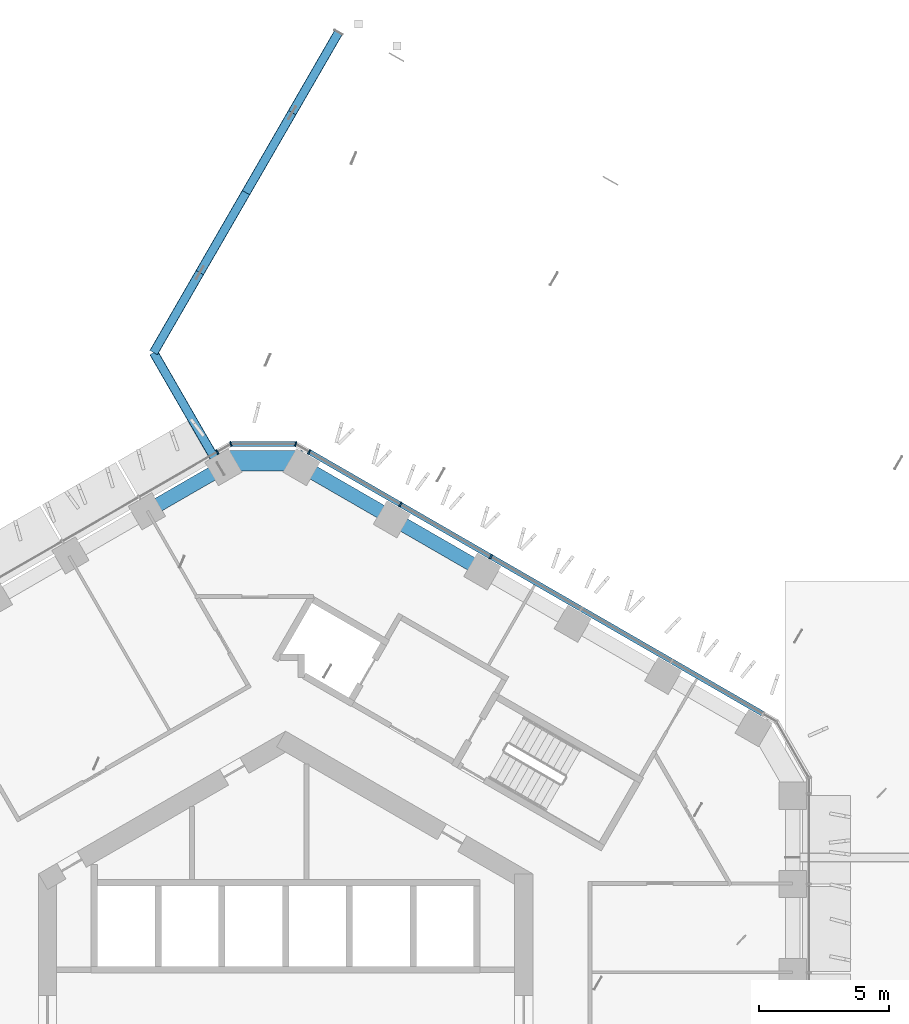
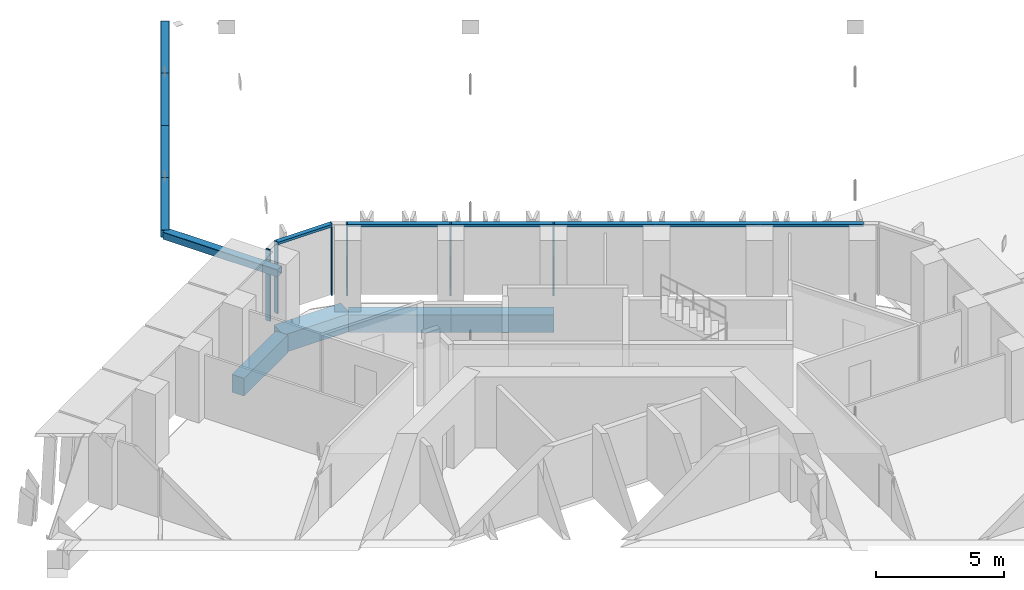
# One storey, part 6 of 25: 13 members, 4 beams, 3 elements without a shape of their own.
"""IFC4 building model written with IfcOpenShell, lengths in metres."""

from ifc_helpers import new_model, si_unit, direction, frame, origin, origin_2d, place, context, subcontext, project, spatial, rectangle, hollow_rectangle, extrude, material, layer, layer_set, material_profile, profile_set, type_object, element, aggregate, save


model = new_model("IFC4")

# Units and contexts
model_context = context("Model", 3, precision=1e-05, world=origin(), true_north=direction((0.0, 1.0)))
body_context = subcontext(model_context, "Body", "Model", "MODEL_VIEW")
ifc_project = project(units=[si_unit("LENGTHUNIT", "METRE"), si_unit("AREAUNIT", "SQUARE_METRE"), si_unit("VOLUMEUNIT", "CUBIC_METRE"), si_unit("PLANEANGLEUNIT", "RADIAN"), si_unit("MASSUNIT", "GRAM", prefix="KILO")], contexts=[model_context])

# Site, building, storey
site_placement = place(None, origin())
site = spatial("IfcSite", under=ifc_project, at=site_placement, CompositionType="ELEMENT")
building_placement = place(site_placement, origin())
building = spatial("IfcBuilding", under=site, at=building_placement, Name="Ayvan Gate Tower", CompositionType="ELEMENT")
storey_placement = place(building_placement, frame((0.0, 0.0, 132.5)))
storey = spatial("IfcBuildingStorey", under=building, at=storey_placement, Name="L35", CompositionType="ELEMENT", Elevation=132.5)

# Beam
ifc_material_1 = material(Name="Concrete C40/50", Category="concrete")
ifc_material_profile_1 = material_profile(ifc_material_1, rectangle(XDim=0.800048828125, YDim=0.85009765625, at=origin_2d()), Name="RC 800x850")
ifc_profile_set_1 = profile_set([ifc_material_profile_1], Name="Concrete C40/50")
beam_type_1 = type_object("IfcBeamType", Name="Corner spandrel beam RC 800x850 C40/50", PredefinedType="BEAM", material=ifc_profile_set_1)
beam_1_placement = place(storey_placement, frame((0.6513671875, 21.364013671875, -0.77490234375), z_axis=(-1.0, 0.0, 0.0), x_axis=(0.0, -1.0, 0.0)))
element("IfcBeam", 1, at=beam_1_placement, inside=storey, type_object=beam_type_1, Name="SB-L35-12", PredefinedType="BEAM", context=body_context, shape_type="SweptSolid", body=[
    extrude(rectangle(XDim=0.800048828125, YDim=0.85009765625, at=origin_2d()), origin(), (0.0, 0.0, 1.0), 3.0),
])

# Members
ifc_material_2 = material(Name="Steel S460NH", Category="steel")
ifc_material_profile_2 = material_profile(ifc_material_2, hollow_rectangle(XDim=0.35009765625, YDim=0.35009765625, WallThickness=0.01611328125, InnerFilletRadius=0.01611328125, OuterFilletRadius=0.02392578125, at=origin_2d()), Name="RHS 350x350x16")
ifc_profile_set_2 = profile_set([ifc_material_profile_2], Name="Steel S460NH")
member_type_1 = type_object("IfcMemberType", Name="Sky bar truss brace B3 RHS 350x350x16", PredefinedType="BRACE", material=ifc_profile_set_2)
member_1_placement = place(storey_placement, frame((-2.498046875, 21.0576171875, 2.675048828125), z_axis=(-0.500021832428, 0.86601279846, 0.0), x_axis=(-0.86601279846, -0.500021832428, 0.0)))
element("IfcMember", 2, at=member_1_placement, inside=storey, type_object=member_type_1, Name="SBX3-A-BC-1", PredefinedType="CHORD", context=body_context, shape_type="SweptSolid", body=[
    extrude(hollow_rectangle(XDim=0.35009765625, YDim=0.35009765625, WallThickness=0.01611328125, InnerFilletRadius=0.01611328125, OuterFilletRadius=0.02392578125, at=origin_2d()), origin(), (0.0, 0.0, 1.0), 5.153076171875),
])
for number, where, z_axis, x_axis, name in (
    (3, (-5.07470703125, 25.520263671875, 2.675048828125), (0.499970499736, 0.8660424351, 0.0), (-0.8660424351, 0.499970499736, 0.0), "SBX3-A-BC-2"),
    (4, (-3.2998046875, 28.5947265625, 2.675048828125), (0.500022077904, 0.866012656725, 0.0), (-0.866012656725, 0.500022077904, 0.0), "SBX3-A-BC-3"),
    (5, (-1.524658203125, 31.669189453125, 2.675048828125), (0.499970499736, 0.8660424351, 0.0), (-0.8660424351, 0.499970499736, 0.0), "SBX3-A-BC-4"),
):
    element("IfcMember", number, at=place(storey_placement, frame(where, z_axis=z_axis, x_axis=x_axis)), inside=storey, type_object=member_type_1, Name=name, PredefinedType="CHORD", context=body_context, shape_type="SweptSolid", body=[
        extrude(hollow_rectangle(XDim=0.35009765625, YDim=0.35009765625, WallThickness=0.01611328125, InnerFilletRadius=0.01611328125, OuterFilletRadius=0.02392578125, at=origin_2d()), origin(), (0.0, 0.0, 1.0), 3.550048828125),
    ])
member_2_placement = place(storey_placement, frame((0.250244140625, 34.74365234375, 2.675048828125), z_axis=(0.500051858269, 0.865995461329, 0.0), x_axis=(-0.865995461329, 0.500051858269, 0.0)))
element("IfcMember", 6, at=member_2_placement, inside=storey, type_object=member_type_1, Name="SBX3-A-BC-5", PredefinedType="CHORD", context=body_context, shape_type="SweptSolid", body=[
    extrude(hollow_rectangle(XDim=0.35009765625, YDim=0.35009765625, WallThickness=0.01611328125, InnerFilletRadius=0.01611328125, OuterFilletRadius=0.02392578125, at=origin_2d()), origin(), (0.0, 0.0, 1.0), 3.5498046875),
])

# Beams
ifc_material_profile_3 = material_profile(ifc_material_1, rectangle(XDim=0.550048828125, YDim=0.85009765625, at=origin_2d()), Name="RC 550x850")
ifc_profile_set_3 = profile_set([ifc_material_profile_3], Name="Concrete C40/50")
beam_type_2 = type_object("IfcBeamType", Name="Spandrel beam RC 550x850 C40/50", PredefinedType="BEAM", material=ifc_profile_set_3)
for number, where, z_axis, x_axis, name in (
    (7, (7.5849609375, 17.140869140625, -0.77490234375), (-0.866035275801, 0.499982900776, 0.0), (-0.499982900776, -0.866035275801, 0.0), "SB-L35-10"),
    (8, (4.1181640625, 19.142333984375, -0.77490234375), (-0.866008867249, 0.500028641026, 0.0), (-0.500028641026, -0.866008867249, 0.0), "SB-L35-11"),
):
    element("IfcBeam", number, at=place(storey_placement, frame(where, z_axis=z_axis, x_axis=x_axis)), inside=storey, type_object=beam_type_2, Name=name, PredefinedType="BEAM", context=body_context, shape_type="SweptSolid", body=[
        extrude(rectangle(XDim=0.550048828125, YDim=0.85009765625, at=origin_2d()), origin(), (0.0, 0.0, 1.0), 4.003173828125),
    ])
beam_2_placement = place(storey_placement, frame((-2.3486328125, 21.14404296875, -0.77490234375), z_axis=(-0.866012976267, -0.500021524473, 0.0), x_axis=(0.500021524473, -0.866012976267, 0.0)))
element("IfcBeam", 9, at=beam_2_placement, inside=storey, type_object=beam_type_2, Name="SB-L35-13", PredefinedType="BEAM", context=body_context, shape_type="SweptSolid", body=[
    extrude(rectangle(XDim=0.550048828125, YDim=0.85009765625, at=origin_2d()), origin(), (0.0, 0.0, 1.0), 3.415283203125),
])

# Curtain wall, member
ifc_material_3 = material(Name="Bronze anodised aluminium", Category="aluminium")
ifc_layer_1 = layer(ifc_material_3, 0.199951171875)
ifc_layer_set_1 = layer_set([ifc_layer_1], Name="Bronze anodised aluminium")
curtain_wall_type_1 = type_object("IfcCurtainWallType", Name="Stick curtain wall CW-1", PredefinedType="NOTDEFINED", material=ifc_layer_set_1)
curtain_wall_1_placement = place(storey_placement, origin())
curtain_wall_1 = element("IfcCurtainWall", 10, at=curtain_wall_1_placement, inside=storey, type_object=curtain_wall_type_1, Name="Stick curtain wall CW-1 L35", PredefinedType="NOTDEFINED")
ifc_material_profile_4 = material_profile(ifc_material_3, rectangle(XDim=0.199951171875, YDim=0.06005859375, at=origin_2d()), Name="Stick curtain wall CW-1 mullion 200 x 60")
ifc_profile_set_4 = profile_set([ifc_material_profile_4], Name="Bronze anodised aluminium")
member_type_2 = type_object("IfcMemberType", Name="Stick curtain wall CW-1 mullion 200 x 60", PredefinedType="MULLION", material=ifc_profile_set_4)
member_3_placement = place(storey_placement, frame((-2.62939453125, 21.70361328125, 0.0), z_axis=(0.0, 0.0, 1.0), x_axis=(-0.5, 0.866025403784, 0.0)))
member_3 = element("IfcMember", 11, at=member_3_placement, type_object=member_type_2, Name="CW-1 mullion 1", PredefinedType="MULLION", context=body_context, shape_type="SweptSolid", body=[
    extrude(rectangle(XDim=0.199951171875, YDim=0.06005859375, at=origin_2d()), origin(), (0.0, 0.0, 1.0), 3.39990234375),
])
aggregate(curtain_wall_1, [member_3])

# Curtain wall, members
curtain_wall_2_placement = place(storey_placement, origin())
curtain_wall_2 = element("IfcCurtainWall", 12, at=curtain_wall_2_placement, inside=storey, type_object=curtain_wall_type_1, Name="Stick curtain wall CW-1 L35", PredefinedType="NOTDEFINED")
member_4_placement = place(storey_placement, frame((7.885986328125, 17.673095703125, 0.0), z_axis=(0.0, 0.0, 1.0), x_axis=(0.5, 0.866025403784, 0.0)))
member_4 = element("IfcMember", 13, at=member_4_placement, type_object=member_type_2, Name="CW-1 mullion 4", PredefinedType="MULLION", context=body_context, shape_type="SweptSolid", body=[
    extrude(rectangle(XDim=0.199951171875, YDim=0.06005859375, at=origin_2d()), origin(), (0.0, 0.0, 1.0), 3.39990234375),
])
member_5_placement = place(storey_placement, frame((4.41064453125, 19.679443359375, 0.0), z_axis=(0.0, 0.0, 1.0), x_axis=(0.5, 0.866025403784, 0.0)))
member_5 = element("IfcMember", 14, at=member_5_placement, type_object=member_type_2, Name="CW-1 mullion 5", PredefinedType="MULLION", context=body_context, shape_type="SweptSolid", body=[
    extrude(rectangle(XDim=0.199951171875, YDim=0.06005859375, at=origin_2d()), origin(), (0.0, 0.0, 1.0), 3.39990234375),
])
member_6_placement = place(storey_placement, frame((0.905029296875, 21.70361328125, 0.0), z_axis=(0.0, 0.0, 1.0), x_axis=(0.5, 0.866025403784, 0.0)))
member_6 = element("IfcMember", 15, at=member_6_placement, type_object=member_type_2, Name="CW-1 mullion 6", PredefinedType="MULLION", context=body_context, shape_type="SweptSolid", body=[
    extrude(rectangle(XDim=0.199951171875, YDim=0.06005859375, at=origin_2d()), origin(), (0.0, 0.0, 1.0), 3.39990234375),
])
ifc_material_profile_5 = material_profile(ifc_material_3, rectangle(XDim=0.199951171875, YDim=0.1201171875, at=origin_2d()), Name="Stick curtain wall CW-1 transom 200 x 120")
ifc_profile_set_5 = profile_set([ifc_material_profile_5], Name="Bronze anodised aluminium")
member_type_3 = type_object("IfcMemberType", Name="Stick curtain wall CW-1 transom 200 x 120", PredefinedType="USERDEFINED", material=ifc_profile_set_5)
member_7_placement = place(storey_placement, frame((18.34326171875, 11.635498046875, 3.340087890625), z_axis=(-0.866022241515, 0.50000547717, 0.0), x_axis=(-0.50000547717, -0.866022241515, 0.0)))
member_7 = element("IfcMember", 16, at=member_7_placement, type_object=member_type_3, Name="CW-1 transom 1", ObjectType="TRANSOM", PredefinedType="USERDEFINED", context=body_context, shape_type="SweptSolid", body=[
    extrude(rectangle(XDim=0.199951171875, YDim=0.1201171875, at=origin_2d()), origin(), (0.0, 0.0, 1.0), 20.135986328125),
])
aggregate(curtain_wall_2, [member_4, member_5, member_6, member_7])

ifc_layer_2 = layer(ifc_material_3, 0.199951171875)
ifc_layer_set_2 = layer_set([ifc_layer_2], Name="Bronze anodised aluminium")
curtain_wall_type_2 = type_object("IfcCurtainWallType", Name="Stick curtain wall CW-6", PredefinedType="NOTDEFINED", material=ifc_layer_set_2)
curtain_wall_3_placement = place(storey_placement, origin())
curtain_wall_3 = element("IfcCurtainWall", 17, at=curtain_wall_3_placement, inside=storey, type_object=curtain_wall_type_2, Name="Stick curtain wall CW-6 L35", PredefinedType="NOTDEFINED")
ifc_material_profile_6 = material_profile(ifc_material_3, rectangle(XDim=0.199951171875, YDim=0.050048828125, at=origin_2d()), Name="Stick curtain wall CW-6 mullion 200 x 50")
ifc_profile_set_6 = profile_set([ifc_material_profile_6], Name="Bronze anodised aluminium")
member_type_4 = type_object("IfcMemberType", Name="Stick curtain wall CW-6 mullion 200 x 50", PredefinedType="MULLION", material=ifc_profile_set_6)
member_8_placement = place(storey_placement, frame((0.381103515625, 22.006103515625, 0.0), z_axis=(0.0, 0.0, 1.0), x_axis=(0.258819045103, 0.965925826289, 0.0)))
member_8 = element("IfcMember", 18, at=member_8_placement, type_object=member_type_4, Name="CW-6 mullion 2", PredefinedType="MULLION", context=body_context, shape_type="SweptSolid", body=[
    extrude(rectangle(XDim=0.199951171875, YDim=0.050048828125, at=origin_2d()), origin(), (0.0, 0.0, 1.0), 3.39990234375),
])
member_9_placement = place(storey_placement, frame((-2.10546875, 22.006103515625, 0.0), z_axis=(0.0, 0.0, 1.0), x_axis=(-0.258819045103, 0.965925826289, 0.0)))
member_9 = element("IfcMember", 19, at=member_9_placement, type_object=member_type_4, Name="CW-6 mullion 3", PredefinedType="MULLION", context=body_context, shape_type="SweptSolid", body=[
    extrude(rectangle(XDim=0.199951171875, YDim=0.050048828125, at=origin_2d()), origin(), (0.0, 0.0, 1.0), 3.39990234375),
])
ifc_material_profile_7 = material_profile(ifc_material_3, rectangle(XDim=0.199951171875, YDim=0.1201171875, at=origin_2d()), Name="Stick curtain wall CW-6 transom 200 x 120")
ifc_profile_set_7 = profile_set([ifc_material_profile_7], Name="Bronze anodised aluminium")
member_type_5 = type_object("IfcMemberType", Name="Stick curtain wall CW-6 transom 200 x 120", PredefinedType="USERDEFINED", material=ifc_profile_set_7)
member_10_placement = place(storey_placement, frame((0.35595703125, 22.006103515625, 3.340087890625), z_axis=(-1.0, 0.0, 0.0), x_axis=(0.0, -1.0, 0.0)))
member_10 = element("IfcMember", 20, at=member_10_placement, type_object=member_type_5, Name="CW-6 transom 2", ObjectType="TRANSOM", PredefinedType="USERDEFINED", context=body_context, shape_type="SweptSolid", body=[
    extrude(rectangle(XDim=0.199951171875, YDim=0.1201171875, at=origin_2d()), origin(), (0.0, 0.0, 1.0), 2.4365234375),
])
aggregate(curtain_wall_3, [member_8, member_9, member_10])

save(model, "model.ifc")
